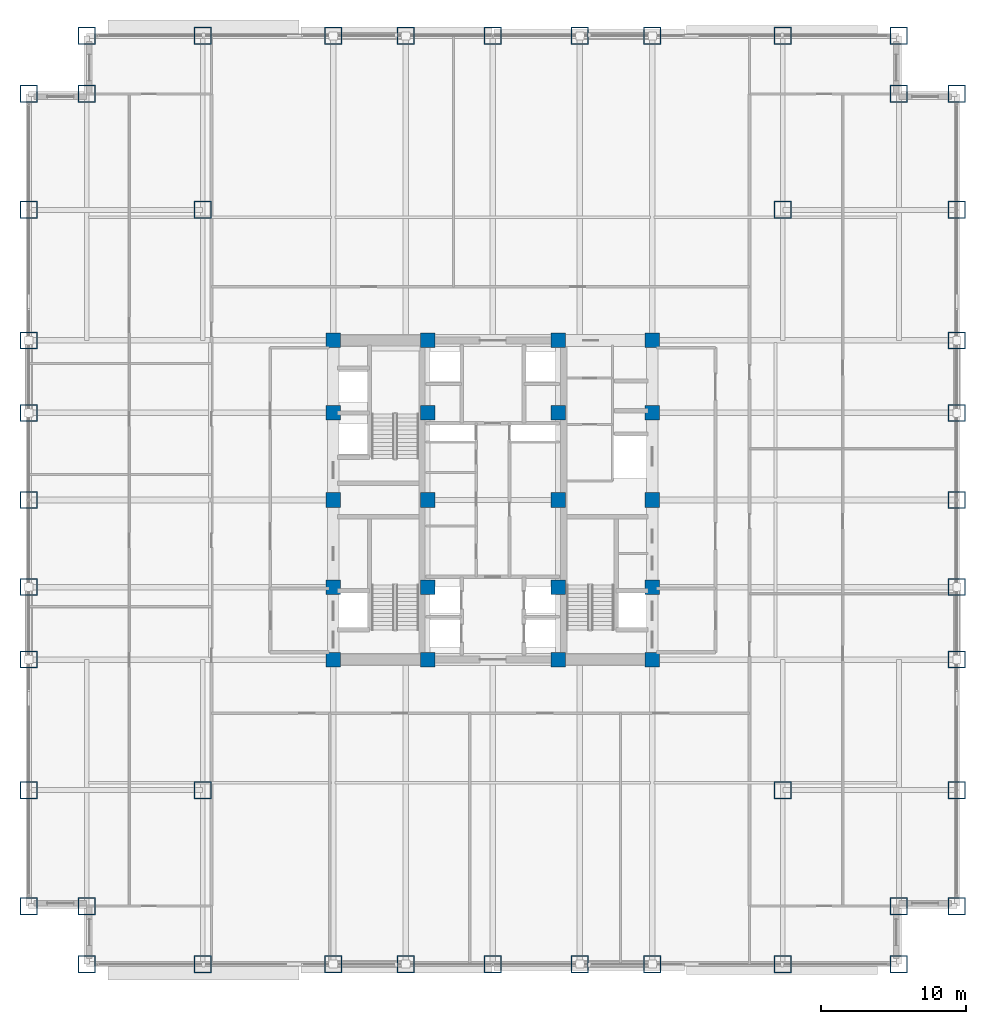
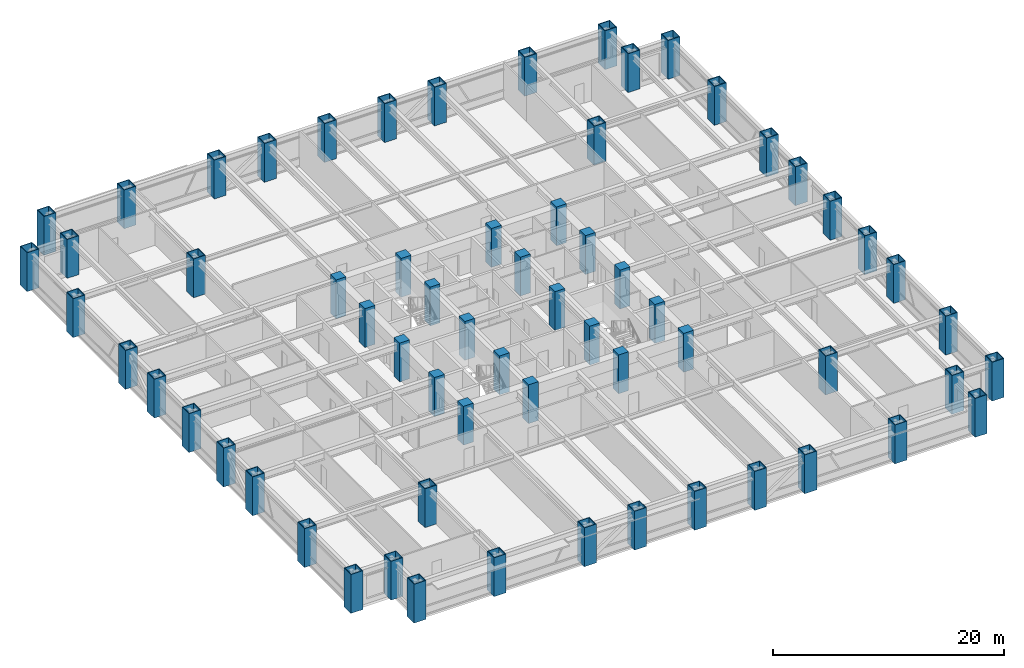
# One storey, part 1 of 32: 64 columns.
"""IFC4 building model written with IfcOpenShell, lengths in metres."""

from ifc_helpers import new_model, si_unit, direction, frame, origin, origin_2d, place, context, subcontext, project, spatial, rectangle, hollow_rectangle, extrude, source, transform, mapped, material, material_profile, profile_set, type_object, element, save


model = new_model("IFC4")

# Units and contexts
model_context = context("Model", 3, precision=1e-05, world=origin(), true_north=direction((0.0, 1.0)))
body_context = subcontext(model_context, "Body", "Model", "MODEL_VIEW")
ifc_project = project(units=[si_unit("LENGTHUNIT", "METRE"), si_unit("AREAUNIT", "SQUARE_METRE"), si_unit("VOLUMEUNIT", "CUBIC_METRE"), si_unit("PLANEANGLEUNIT", "RADIAN"), si_unit("MASSUNIT", "GRAM", prefix="KILO")], contexts=[model_context])

# Site, building, storey
site_placement = place(None, origin())
site = spatial("IfcSite", under=ifc_project, at=site_placement, CompositionType="ELEMENT")
building_placement = place(site_placement, origin())
building = spatial("IfcBuilding", under=site, at=building_placement, Name="Khorayat Bourse Tower", CompositionType="ELEMENT")
storey_placement = place(building_placement, frame((0.0, 0.0, 128.300048828125)))
storey = spatial("IfcBuildingStorey", under=building, at=storey_placement, Name="L29", CompositionType="ELEMENT", Elevation=128.300048828125)

# Columns
ifc_material_1 = material(Name="Steel EN 10025-4 S460M", Category="steel")
ifc_material_profile_1 = material_profile(ifc_material_1, hollow_rectangle(XDim=1.199951171875, YDim=1.199951171875, WallThickness=0.070068359375, at=origin_2d()), Name="BOX 1200x1200x70")
ifc_profile_set_1 = profile_set([ifc_material_profile_1], Name="Steel EN 10025-4 S460M")
column_type_1 = type_object("IfcColumnType", Name="COL-TUBE-1200", PredefinedType="COLUMN", material=ifc_profile_set_1)
shared_shape_1 = source(origin(), body_context, "Body", "SweptSolid", [
    extrude(hollow_rectangle(XDim=1.199951171875, YDim=1.199951171875, WallThickness=0.070068359375, at=origin_2d()), origin(), (0.0, 0.0, 1.0), 4.099853515625),
])
for number, where, z_axis, x_axis, name in (
    (1, (-32.0, -28.0, 0.0), (0.0, 0.0, 1.0), (1.0, 0.0, 0.0), "L29 Column 001"),
    (2, (-32.0, -20.0, 0.0), (0.0, 0.0, 1.0), (1.0, 0.0, 0.0), "L29 Column 002"),
    (3, (-32.0, -11.0, 0.0), (0.0, 0.0, 1.0), (1.0, 0.0, 0.0), "L29 Column 003"),
    (4, (-32.0, -6.0, 0.0), (0.0, 0.0, 1.0), (1.0, 0.0, 0.0), "L29 Column 004"),
    (5, (-32.0, 0.0, 0.0), (0.0, 0.0, 1.0), (1.0, 0.0, 0.0), "L29 Column 005"),
    (6, (-32.0, 6.0, 0.0), (0.0, 0.0, 1.0), (1.0, 0.0, 0.0), "L29 Column 006"),
    (7, (-32.0, 11.0, 0.0), (0.0, 0.0, 1.0), (1.0, 0.0, 0.0), "L29 Column 007"),
    (8, (-32.0, 20.0, 0.0), (0.0, 0.0, 1.0), (1.0, 0.0, 0.0), "L29 Column 008"),
    (9, (-32.0, 28.0, 0.0), (0.0, 0.0, 1.0), (1.0, 0.0, 0.0), "L29 Column 009"),
    (10, (-28.0, -32.0, 0.0), (0.0, 0.0, 1.0), (1.0, 0.0, 0.0), "L29 Column 010"),
    (11, (-28.0, -28.0, 0.0), (0.0, 0.0, 1.0), (1.0, 0.0, 0.0), "L29 Column 011"),
    (12, (-28.0, 28.0, 0.0), (0.0, 0.0, 1.0), (1.0, 0.0, 0.0), "L29 Column 012"),
    (13, (-28.0, 32.0, 0.0), (0.0, 0.0, 1.0), (1.0, 0.0, 0.0), "L29 Column 013"),
    (14, (-20.0, -32.0, 0.0), (0.0, 0.0, 1.0), (1.0, 0.0, 0.0), "L29 Column 014"),
    (15, (-20.0, -20.0, 0.0), (0.0, 0.0, 1.0), (1.0, 0.0, 0.0), "L29 Column 015"),
    (16, (-20.0, 20.0, 0.0), (0.0, 0.0, 1.0), (1.0, 0.0, 0.0), "L29 Column 016"),
    (17, (-20.0, 32.0, 0.0), (0.0, 0.0, 1.0), (1.0, 0.0, 0.0), "L29 Column 017"),
    (18, (-11.0, -32.0, 0.0), (0.0, 0.0, 1.0), (1.0, 0.0, 0.0), "L29 Column 018"),
    (19, (-11.0, 32.0, 0.0), (0.0, 0.0, 1.0), (1.0, 0.0, 0.0), "L29 Column 024"),
    (20, (-6.0, -32.0, 0.0), (0.0, 0.0, 1.0), (1.0, 0.0, 0.0), "L29 Column 025"),
    (21, (-6.0, 32.0, 0.0), (0.0, 0.0, 1.0), (1.0, 0.0, 0.0), "L29 Column 026"),
    (22, (0.0, -32.0, 0.0), (0.0, 0.0, 1.0), (1.0, 0.0, 0.0), "L29 Column 032"),
    (23, (0.0, 32.0, 0.0), (0.0, 0.0, 1.0), (1.0, 0.0, 0.0), "L29 Column 033"),
    (24, (6.0, -32.0, 0.0), (0.0, 0.0, 1.0), (1.0, 0.0, 0.0), "L29 Column 039"),
    (25, (6.0, 32.0, 0.0), (0.0, 0.0, 1.0), (1.0, 0.0, 0.0), "L29 Column 040"),
    (26, (11.0, -32.0, 0.0), (0.0, 0.0, 1.0), (1.0, 0.0, 0.0), "L29 Column 041"),
    (27, (11.0, 32.0, 0.0), (0.0, 0.0, 1.0), (1.0, 0.0, 0.0), "L29 Column 047"),
    (28, (20.0, -32.0, 0.0), (0.0, 0.0, 1.0), (1.0, 0.0, 0.0), "L29 Column 048"),
    (29, (20.0, -20.0, 0.0), (0.0, 0.0, 1.0), (1.0, 0.0, 0.0), "L29 Column 049"),
    (30, (20.0, 20.0, 0.0), (0.0, 0.0, 1.0), (1.0, 0.0, 0.0), "L29 Column 050"),
    (31, (20.0, 32.0, 0.0), (0.0, 0.0, 1.0), (1.0, 0.0, 0.0), "L29 Column 051"),
    (32, (28.0, -32.0, 0.0), (0.0, 0.0, 1.0), (1.0, 0.0, 0.0), "L29 Column 052"),
    (33, (28.0, -28.0, 0.0), (0.0, 0.0, 1.0), (1.0, 0.0, 0.0), "L29 Column 053"),
    (34, (28.0, 28.0, 0.0), (0.0, 0.0, 1.0), (1.0, 0.0, 0.0), "L29 Column 054"),
    (35, (28.0, 32.0, 0.0), (0.0, 0.0, 1.0), (1.0, 0.0, 0.0), "L29 Column 055"),
    (36, (32.0, -28.0, 0.0), (0.0, 0.0, 1.0), (1.0, 0.0, 0.0), "L29 Column 056"),
    (37, (32.0, -20.0, 0.0), (0.0, 0.0, 1.0), (1.0, 0.0, 0.0), "L29 Column 057"),
    (38, (32.0, -11.0, 0.0), (0.0, 0.0, 1.0), (1.0, 0.0, 0.0), "L29 Column 058"),
    (39, (32.0, -6.0, 0.0), (0.0, 0.0, 1.0), (1.0, 0.0, 0.0), "L29 Column 059"),
    (40, (32.0, 0.0, 0.0), (0.0, 0.0, 1.0), (1.0, 0.0, 0.0), "L29 Column 060"),
    (41, (32.0, 6.0, 0.0), (0.0, 0.0, 1.0), (1.0, 0.0, 0.0), "L29 Column 061"),
    (42, (32.0, 11.0, 0.0), (0.0, 0.0, 1.0), (1.0, 0.0, 0.0), "L29 Column 062"),
    (43, (32.0, 20.0, 0.0), (0.0, 0.0, 1.0), (1.0, 0.0, 0.0), "L29 Column 063"),
    (44, (32.0, 28.0, 0.0), (0.0, 0.0, 1.0), (1.0, 0.0, 0.0), "L29 Column 064"),
):
    element("IfcColumn", number, at=place(storey_placement, frame(where, z_axis=z_axis, x_axis=x_axis)), inside=storey, type_object=column_type_1, Name=name, PredefinedType="COLUMN", context=body_context, shape_type="MappedRepresentation", body=[
        mapped(shared_shape_1, transform((0.0, 0.0, 0.0), scale=1.0)),
    ])
ifc_material_2 = material(Name="Concrete C72/90", Category="concrete")
ifc_material_profile_2 = material_profile(ifc_material_2, rectangle(XDim=1.0, YDim=1.0, at=origin_2d()), Name="RC 1000x1000")
ifc_profile_set_2 = profile_set([ifc_material_profile_2], Name="Concrete C72/90")
column_type_2 = type_object("IfcColumnType", Name="COL-CORE-1000", PredefinedType="COLUMN", material=ifc_profile_set_2)
shared_shape_2 = source(origin(), body_context, "Body", "SweptSolid", [
    extrude(rectangle(XDim=1.0, YDim=1.0, at=origin_2d()), origin(), (0.0, 0.0, 1.0), 4.099853515625),
])
for number, where, z_axis, x_axis, name in (
    (45, (-11.0, -11.0, 0.0), (0.0, 0.0, 1.0), (1.0, 0.0, 0.0), "L29 Column 019"),
    (46, (-11.0, -6.0, 0.0), (0.0, 0.0, 1.0), (1.0, 0.0, 0.0), "L29 Column 020"),
    (47, (-11.0, 0.0, 0.0), (0.0, 0.0, 1.0), (1.0, 0.0, 0.0), "L29 Column 021"),
    (48, (-11.0, 6.0, 0.0), (0.0, 0.0, 1.0), (1.0, 0.0, 0.0), "L29 Column 022"),
    (49, (-11.0, 11.0, 0.0), (0.0, 0.0, 1.0), (1.0, 0.0, 0.0), "L29 Column 023"),
    (50, (-4.5, -11.0, 0.0), (0.0, 0.0, 1.0), (1.0, 0.0, 0.0), "L29 Column 027"),
    (51, (-4.5, -6.0, 0.0), (0.0, 0.0, 1.0), (1.0, 0.0, 0.0), "L29 Column 028"),
    (52, (-4.5, 0.0, 0.0), (0.0, 0.0, 1.0), (1.0, 0.0, 0.0), "L29 Column 029"),
    (53, (-4.5, 6.0, 0.0), (0.0, 0.0, 1.0), (1.0, 0.0, 0.0), "L29 Column 030"),
    (54, (-4.5, 11.0, 0.0), (0.0, 0.0, 1.0), (1.0, 0.0, 0.0), "L29 Column 031"),
    (55, (4.5, -11.0, 0.0), (0.0, 0.0, 1.0), (1.0, 0.0, 0.0), "L29 Column 034"),
    (56, (4.5, -6.0, 0.0), (0.0, 0.0, 1.0), (1.0, 0.0, 0.0), "L29 Column 035"),
    (57, (4.5, 0.0, 0.0), (0.0, 0.0, 1.0), (1.0, 0.0, 0.0), "L29 Column 036"),
    (58, (4.5, 6.0, 0.0), (0.0, 0.0, 1.0), (1.0, 0.0, 0.0), "L29 Column 037"),
    (59, (4.5, 11.0, 0.0), (0.0, 0.0, 1.0), (1.0, 0.0, 0.0), "L29 Column 038"),
    (60, (11.0, -11.0, 0.0), (0.0, 0.0, 1.0), (1.0, 0.0, 0.0), "L29 Column 042"),
    (61, (11.0, -6.0, 0.0), (0.0, 0.0, 1.0), (1.0, 0.0, 0.0), "L29 Column 043"),
    (62, (11.0, 0.0, 0.0), (0.0, 0.0, 1.0), (1.0, 0.0, 0.0), "L29 Column 044"),
    (63, (11.0, 6.0, 0.0), (0.0, 0.0, 1.0), (1.0, 0.0, 0.0), "L29 Column 045"),
    (64, (11.0, 11.0, 0.0), (0.0, 0.0, 1.0), (1.0, 0.0, 0.0), "L29 Column 046"),
):
    element("IfcColumn", number, at=place(storey_placement, frame(where, z_axis=z_axis, x_axis=x_axis)), inside=storey, type_object=column_type_2, Name=name, PredefinedType="COLUMN", context=body_context, shape_type="MappedRepresentation", body=[
        mapped(shared_shape_2, transform((0.0, 0.0, 0.0), scale=1.0)),
    ])

save(model, "model.ifc")
